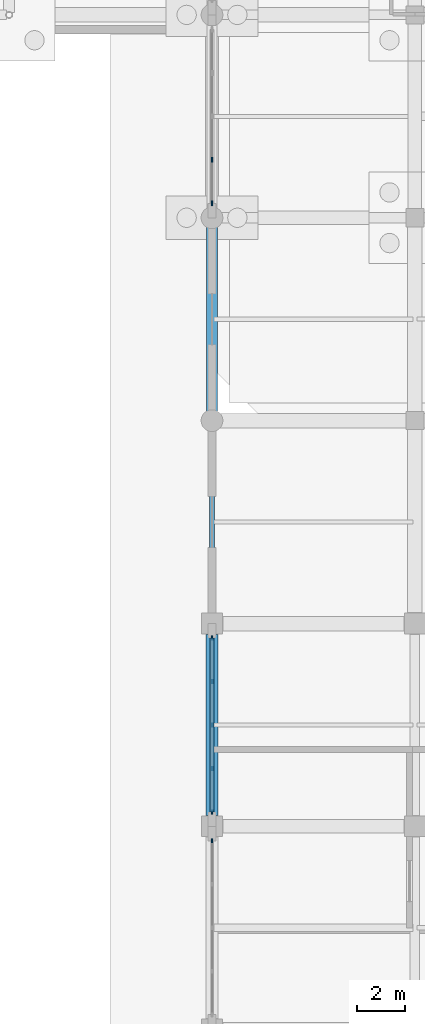
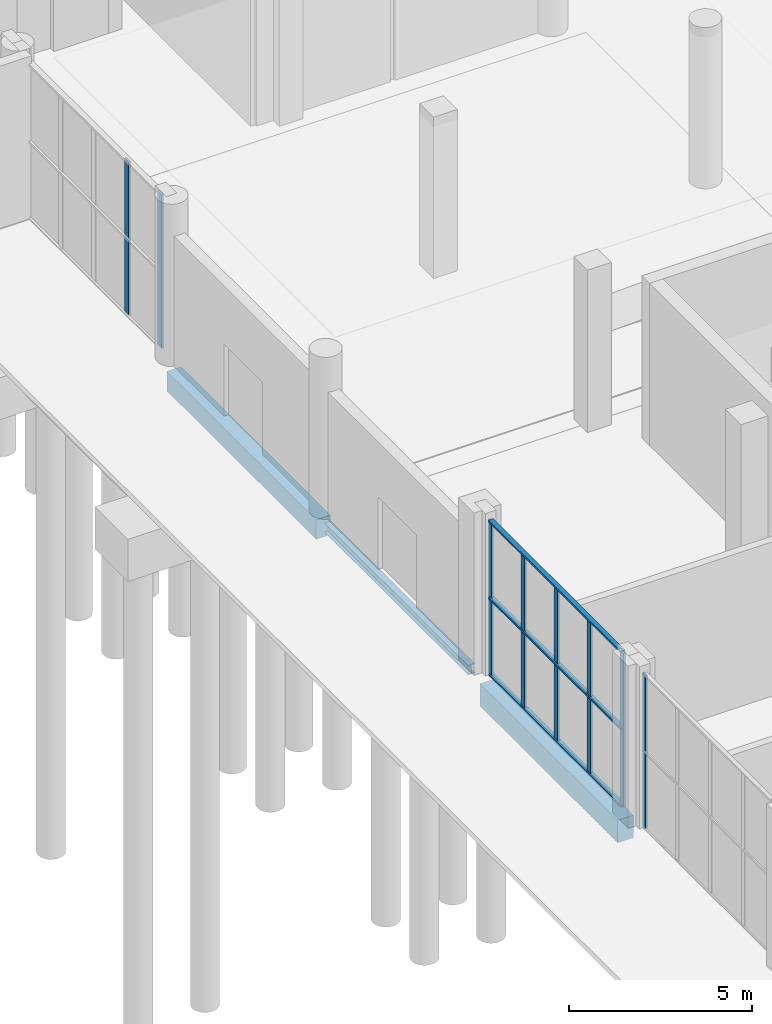
# One storey, part 43 of 82: 11 members, 3 beams, 3 elements without a shape of their own.
"""IFC4 building model written with IfcOpenShell, lengths in metres."""

from ifc_helpers import new_model, si_unit, derived_unit, direction, frame, origin, origin_2d, place, context, subcontext, project, spatial, rectangle, i_section, extrude, material, material_profile, profile_set, type_object, element, aggregate, save


model = new_model("IFC4")

# Units and contexts
model_context = context("Model", 3, precision=1e-05, world=origin(), true_north=direction((0.0, 1.0)))
body_context = subcontext(model_context, "Body", "Model", "MODEL_VIEW")
ifc_project = project(units=[si_unit("LENGTHUNIT", "METRE"), si_unit("AREAUNIT", "SQUARE_METRE"), si_unit("VOLUMEUNIT", "CUBIC_METRE"), si_unit("PLANEANGLEUNIT", "RADIAN"), si_unit("MASSUNIT", "GRAM", prefix="KILO"), derived_unit("THERMALTRANSMITTANCEUNIT", [(si_unit("POWERUNIT", "WATT"), 1), (si_unit("LENGTHUNIT", "METRE"), -2), (si_unit("THERMODYNAMICTEMPERATUREUNIT", "KELVIN"), -1)])], contexts=[model_context])

# Site, building, storey
site_placement = place(None, origin())
site = spatial("IfcSite", under=ifc_project, at=site_placement, CompositionType="ELEMENT")
building_placement = place(site_placement, origin())
building = spatial("IfcBuilding", under=site, at=building_placement, Name="Barrovel Congress Hotel", CompositionType="ELEMENT")
storey_placement = place(building_placement, origin())
storey = spatial("IfcBuildingStorey", under=building, at=storey_placement, Name="L00", CompositionType="ELEMENT", Elevation=0.0)

# Beams
ifc_material_1 = material(Name="Concrete C40", Category="concrete")
ifc_material_profile_1 = material_profile(ifc_material_1, rectangle(XDim=0.449951171875, YDim=0.64990234375, at=origin_2d()), Name="RC450x650")
ifc_profile_set_1 = profile_set([ifc_material_profile_1], Name="Concrete C40")
beam_type_1 = type_object("IfcBeamType", Name="BM-RC450x650", PredefinedType="BEAM", material=ifc_profile_set_1)
beam_1_placement = place(storey_placement, frame((126.0, 79.927001953125, -0.64501953125), z_axis=(0.0, 1.0, 0.0), x_axis=(-1.0, 0.0, 0.0)))
element("IfcBeam", 1, at=beam_1_placement, inside=storey, type_object=beam_type_1, Name="BMY:L00:126.0:79.8-88.2", PredefinedType="BEAM", context=body_context, shape_type="SweptSolid", body=[
    extrude(rectangle(XDim=0.449951171875, YDim=0.64990234375, at=origin_2d()), origin(), (0.0, 0.0, 1.0), 8.14599609375),
])
ifc_material_profile_2 = material_profile(ifc_material_1, rectangle(XDim=0.5, YDim=0.75, at=origin_2d()), Name="RC500x750")
ifc_profile_set_2 = profile_set([ifc_material_profile_2], Name="Concrete C40")
beam_type_2 = type_object("IfcBeamType", Name="BM-RC500x750", PredefinedType="BEAM", material=ifc_profile_set_2)
beam_2_placement = place(storey_placement, frame((126.0, 63.449951171875, -0.695068359375), z_axis=(0.0, 1.0, 0.0), x_axis=(-1.0, 0.0, 0.0)))
element("IfcBeam", 2, at=beam_2_placement, inside=storey, type_object=beam_type_2, Name="BMY:L00:126.0:63.0-71.4", PredefinedType="BEAM", context=body_context, shape_type="SweptSolid", body=[
    extrude(rectangle(XDim=0.5, YDim=0.75, at=origin_2d()), origin(), (0.0, 0.0, 1.0), 7.5),
])

# Curtain wall, member
ifc_material_2 = material(Name="Anodised Aluminium Alloy 6063-T6", Category="aluminium")
curtain_wall_type = type_object("IfcCurtainWallType", Name="CW-ST-7200x3600", PredefinedType="USERDEFINED", material=ifc_material_2)
curtain_wall_1_placement = place(storey_placement, origin())
curtain_wall_1 = element("IfcCurtainWall", 3, at=curtain_wall_1_placement, inside=storey, type_object=curtain_wall_type, Name="CW:L00:CE:54.6", ObjectType="STICK CURTAIN WALL", PredefinedType="USERDEFINED")
ifc_material_profile_3 = material_profile(ifc_material_2, rectangle(XDim=0.06005859375, YDim=0.1650390625, at=origin_2d()), Name="AL-M60x165")
ifc_profile_set_3 = profile_set([ifc_material_profile_3], Name="Anodised Aluminium Alloy 6063-T6")
member_type_1 = type_object("IfcMemberType", Name="CWM-AL-M60x165", PredefinedType="MULLION", material=ifc_profile_set_3)
member_1_placement = place(storey_placement, frame((126.0, 62.39990234375, 0.0), z_axis=(0.0, 0.0, 1.0), x_axis=(1.0, 0.0, 0.0)))
member_1 = element("IfcMember", 4, at=member_1_placement, type_object=member_type_1, Name="CW:L00:CE:54.6:M0", PredefinedType="MULLION", context=body_context, shape_type="SweptSolid", body=[
    extrude(rectangle(XDim=0.06005859375, YDim=0.1650390625, at=origin_2d()), origin(), (0.0, 0.0, 1.0), 5.1201171875),
])
aggregate(curtain_wall_1, [member_1])

# Curtain wall, members
curtain_wall_2_placement = place(storey_placement, origin())
curtain_wall_2 = element("IfcCurtainWall", 5, at=curtain_wall_2_placement, inside=storey, type_object=curtain_wall_type, Name="CW:L00:CE:63.0", ObjectType="STICK CURTAIN WALL", PredefinedType="USERDEFINED")
ifc_material_profile_4 = material_profile(ifc_material_2, rectangle(XDim=0.06494140625, YDim=0.18994140625, at=origin_2d()), Name="AL-M65x190")
ifc_profile_set_4 = profile_set([ifc_material_profile_4], Name="Anodised Aluminium Alloy 6063-T6")
member_type_2 = type_object("IfcMemberType", Name="CWM-AL-M65x190", PredefinedType="MULLION", material=ifc_profile_set_4)
member_2_placement = place(storey_placement, frame((126.0, 70.800048828125, 0.0), z_axis=(0.0, 0.0, 1.0), x_axis=(1.0, 0.0, 0.0)))
member_2 = element("IfcMember", 6, at=member_2_placement, type_object=member_type_2, Name="CW:L00:CE:63.0:M0", PredefinedType="MULLION", context=body_context, shape_type="SweptSolid", body=[
    extrude(rectangle(XDim=0.06494140625, YDim=0.18994140625, at=origin_2d()), origin(), (0.0, 0.0, 1.0), 5.1201171875),
])
member_3_placement = place(storey_placement, frame((126.0, 69.0, 0.0), z_axis=(0.0, 0.0, 1.0), x_axis=(1.0, 0.0, 0.0)))
member_3 = element("IfcMember", 7, at=member_3_placement, type_object=member_type_2, Name="CW:L00:CE:63.0:M1", PredefinedType="MULLION", context=body_context, shape_type="SweptSolid", body=[
    extrude(rectangle(XDim=0.06494140625, YDim=0.18994140625, at=origin_2d()), origin(), (0.0, 0.0, 1.0), 5.1201171875),
])
member_4_placement = place(storey_placement, frame((126.0, 67.199951171875, 0.0), z_axis=(0.0, 0.0, 1.0), x_axis=(1.0, 0.0, 0.0)))
member_4 = element("IfcMember", 8, at=member_4_placement, type_object=member_type_2, Name="CW:L00:CE:63.0:M2", PredefinedType="MULLION", context=body_context, shape_type="SweptSolid", body=[
    extrude(rectangle(XDim=0.06494140625, YDim=0.18994140625, at=origin_2d()), origin(), (0.0, 0.0, 1.0), 5.1201171875),
])
member_5_placement = place(storey_placement, frame((126.0, 65.39990234375, 0.0), z_axis=(0.0, 0.0, 1.0), x_axis=(1.0, 0.0, 0.0)))
member_5 = element("IfcMember", 9, at=member_5_placement, type_object=member_type_2, Name="CW:L00:CE:63.0:M3", PredefinedType="MULLION", context=body_context, shape_type="SweptSolid", body=[
    extrude(rectangle(XDim=0.06494140625, YDim=0.18994140625, at=origin_2d()), origin(), (0.0, 0.0, 1.0), 5.1201171875),
])
member_6_placement = place(storey_placement, frame((126.0, 63.60009765625, 0.0), z_axis=(0.0, 0.0, 1.0), x_axis=(1.0, 0.0, 0.0)))
member_6 = element("IfcMember", 10, at=member_6_placement, type_object=member_type_2, Name="CW:L00:CE:63.0:M4", PredefinedType="MULLION", context=body_context, shape_type="SweptSolid", body=[
    extrude(rectangle(XDim=0.06494140625, YDim=0.18994140625, at=origin_2d()), origin(), (0.0, 0.0, 1.0), 5.1201171875),
])

curtain_wall_3_placement = place(storey_placement, origin())
curtain_wall_3 = element("IfcCurtainWall", 11, at=curtain_wall_3_placement, inside=storey, type_object=curtain_wall_type, Name="CW:L00:CE:88.2", ObjectType="STICK CURTAIN WALL", PredefinedType="USERDEFINED")
ifc_material_profile_5 = material_profile(ifc_material_2, rectangle(XDim=0.06494140625, YDim=0.219970703125, at=origin_2d()), Name="AL-M65x220")
ifc_profile_set_5 = profile_set([ifc_material_profile_5], Name="Anodised Aluminium Alloy 6063-T6")
member_type_3 = type_object("IfcMemberType", Name="CWM-AL-M65x220", PredefinedType="MULLION", material=ifc_profile_set_5)
member_7_placement = place(storey_placement, frame((126.0, 90.60009765625, 0.0), z_axis=(0.0, 0.0, 1.0), x_axis=(1.0, 0.0, 0.0)))
member_7 = element("IfcMember", 12, at=member_7_placement, type_object=member_type_3, Name="CW:L00:CE:88.2:M3", PredefinedType="MULLION", context=body_context, shape_type="SweptSolid", body=[
    extrude(rectangle(XDim=0.06494140625, YDim=0.219970703125, at=origin_2d()), origin(), (0.0, 0.0, 1.0), 5.1201171875),
])
member_8_placement = place(storey_placement, frame((126.0, 88.800048828125, 0.0), z_axis=(0.0, 0.0, 1.0), x_axis=(1.0, 0.0, 0.0)))
member_8 = element("IfcMember", 13, at=member_8_placement, type_object=member_type_3, Name="CW:L00:CE:88.2:M4", PredefinedType="MULLION", context=body_context, shape_type="SweptSolid", body=[
    extrude(rectangle(XDim=0.06494140625, YDim=0.219970703125, at=origin_2d()), origin(), (0.0, 0.0, 1.0), 5.1201171875),
])
aggregate(curtain_wall_3, [member_7, member_8])

# Member
ifc_material_profile_6 = material_profile(ifc_material_2, rectangle(XDim=0.14990234375, YDim=0.06494140625, at=origin_2d()), Name="AL-T65x150")
ifc_profile_set_6 = profile_set([ifc_material_profile_6], Name="Anodised Aluminium Alloy 6063-T6")
member_type_4 = type_object("IfcMemberType", Name="CWT-AL-T65x150", PredefinedType="USERDEFINED", material=ifc_profile_set_6)
member_9_placement = place(storey_placement, frame((126.0, 70.800048828125, 0.0), z_axis=(0.0, -1.0, 0.0), x_axis=(1.0, 0.0, 0.0)))
member_9 = element("IfcMember", 14, at=member_9_placement, type_object=member_type_4, Name="CW:L00:CE:63.0:T0", ObjectType="TRANSOM", PredefinedType="USERDEFINED", context=body_context, shape_type="SweptSolid", body=[
    extrude(rectangle(XDim=0.14990234375, YDim=0.06494140625, at=origin_2d()), origin(), (0.0, 0.0, 1.0), 7.199951171875),
])

member_10_placement = place(storey_placement, frame((126.0, 70.800048828125, 2.56005859375), z_axis=(0.0, -1.0, 0.0), x_axis=(1.0, 0.0, 0.0)))
member_10 = element("IfcMember", 15, at=member_10_placement, type_object=member_type_4, Name="CW:L00:CE:63.0:T1", ObjectType="TRANSOM", PredefinedType="USERDEFINED", context=body_context, shape_type="SweptSolid", body=[
    extrude(rectangle(XDim=0.14990234375, YDim=0.06494140625, at=origin_2d()), origin(), (0.0, 0.0, 1.0), 7.199951171875),
])

member_11_placement = place(storey_placement, frame((126.0, 70.800048828125, 5.1201171875), z_axis=(0.0, -1.0, 0.0), x_axis=(1.0, 0.0, 0.0)))
member_11 = element("IfcMember", 16, at=member_11_placement, type_object=member_type_4, Name="CW:L00:CE:63.0:T2", ObjectType="TRANSOM", PredefinedType="USERDEFINED", context=body_context, shape_type="SweptSolid", body=[
    extrude(rectangle(XDim=0.14990234375, YDim=0.06494140625, at=origin_2d()), origin(), (0.0, 0.0, 1.0), 7.199951171875),
])

aggregate(curtain_wall_2, [member_2, member_3, member_4, member_5, member_6, member_9, member_10, member_11])

# Beam
ifc_material_3 = material(Name="Steel ASTM A992 Grade 50", Category="steel")
ifc_material_profile_7 = material_profile(ifc_material_3, i_section(OverallWidth=0.205078125, OverallDepth=0.31005859375, WebThickness=0.009521484375, FlangeThickness=0.016357421875, FilletRadius=0.012939453125, at=origin_2d()), Name="W310x74")
ifc_profile_set_7 = profile_set([ifc_material_profile_7], Name="Steel ASTM A992 Grade 50")
beam_type_3 = type_object("IfcBeamType", Name="SBM-W310x74", PredefinedType="SPANDREL", material=ifc_profile_set_7)
beam_3_placement = place(storey_placement, frame((126.0, 71.85009765625, -0.47509765625), z_axis=(0.0, 1.0, 0.0), x_axis=(-1.0, 0.0, 0.0)))
element("IfcBeam", 17, at=beam_3_placement, inside=storey, type_object=beam_type_3, Name="BMY:L00:126.0:71.4-79.8", PredefinedType="SPANDREL", context=body_context, shape_type="SweptSolid", body=[
    extrude(i_section(OverallWidth=0.205078125, OverallDepth=0.31005859375, WebThickness=0.009521484375, FlangeThickness=0.016357421875, FilletRadius=0.012939453125, at=origin_2d()), origin(), (0.0, 0.0, 1.0), 7.822998046875),
])

save(model, "model.ifc")
